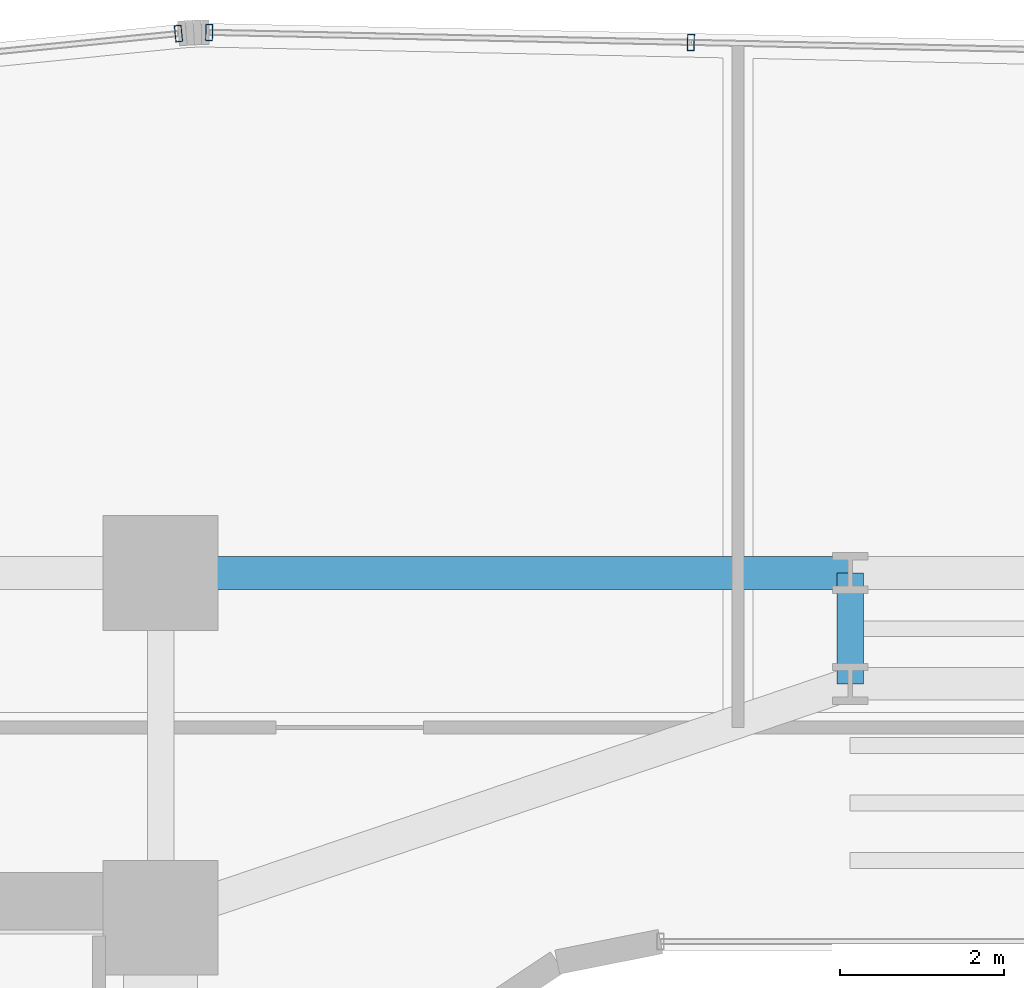
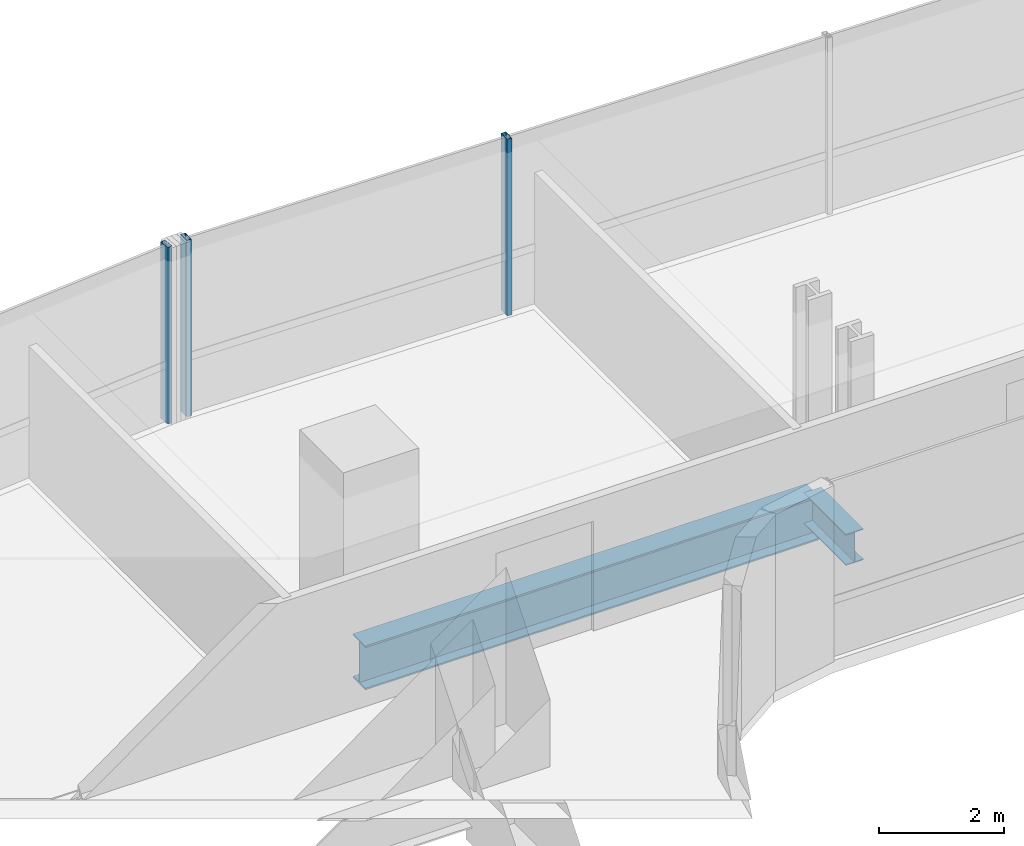
# One storey, part 21 of 40: 3 members, 2 beams, 2 elements without a shape of their own.
"""IFC4 building model written with IfcOpenShell, lengths in metres."""

from ifc_helpers import new_model, si_unit, direction, frame, origin, origin_2d, place, context, subcontext, project, spatial, hollow_rectangle, i_section, extrude, source, transform, mapped, material, material_profile, profile_set, type_object, element, aggregate, save


model = new_model("IFC4")

# Units and contexts
model_context = context("Model", 3, precision=1e-05, world=origin(), true_north=direction((0.0, 1.0)))
body_context = subcontext(model_context, "Body", "Model", "MODEL_VIEW")
ifc_project = project(units=[si_unit("LENGTHUNIT", "METRE"), si_unit("AREAUNIT", "SQUARE_METRE"), si_unit("VOLUMEUNIT", "CUBIC_METRE"), si_unit("PLANEANGLEUNIT", "RADIAN"), si_unit("MASSUNIT", "GRAM", prefix="KILO")], contexts=[model_context])

# Site, building, storey
site_placement = place(None, origin())
site = spatial("IfcSite", under=ifc_project, at=site_placement, CompositionType="ELEMENT")
building_placement = place(site_placement, origin())
building = spatial("IfcBuilding", under=site, at=building_placement, Name="Valdorenza Pilgrim Sanctuary Tower", CompositionType="ELEMENT")
storey_placement = place(building_placement, frame((0.0, 0.0, 81.5)))
storey = spatial("IfcBuildingStorey", under=building, at=storey_placement, Name="L20", CompositionType="ELEMENT", Elevation=81.5)

# Beams
ifc_material_1 = material(Name="Steel ASTM A992 Grade 50", Category="steel")
ifc_material_profile_1 = material_profile(ifc_material_1, i_section(OverallWidth=0.39990234375, OverallDepth=0.862060546875, WebThickness=0.019775390625, FlangeThickness=0.032470703125, at=origin_2d()), Name="W33X221")
ifc_profile_set_1 = profile_set([ifc_material_profile_1], Name="Steel ASTM A992 Grade 50")
beam_type_1 = type_object("IfcBeamType", Name="STR-BM-GRD-W33", PredefinedType="BEAM", material=ifc_profile_set_1)
shared_shape_1 = source(origin(), body_context, "Body", "SweptSolid", [
    extrude(i_section(OverallWidth=0.39990234375, OverallDepth=0.862060546875, WebThickness=0.019775390625, FlangeThickness=0.032470703125, at=origin_2d()), origin(), (0.0, 0.0, 1.0), 8.39990234375),
])
beam_1_placement = place(storey_placement, frame((-12.39990234375, 14.800048828125, -0.6708984375), z_axis=(1.0, 0.0, 0.0), x_axis=(0.0, 1.0, 0.0)))
element("IfcBeam", 1, at=beam_1_placement, inside=storey, type_object=beam_type_1, Name="L20 Floor Girder KNK-G4", PredefinedType="BEAM", context=body_context, shape_type="MappedRepresentation", body=[
    mapped(shared_shape_1, transform((0.0, 0.0, 0.0), x_axis=(1.0, 0.0, 0.0), y_axis=(0.0, 1.0, 0.0), z_axis=(0.0, 0.0, 1.0), scale=1.0)),
])
ifc_material_profile_2 = material_profile(ifc_material_1, i_section(OverallWidth=0.323974609375, OverallDepth=0.611083984375, WebThickness=0.0126953125, FlangeThickness=0.01904296875, at=origin_2d()), Name="W24X104")
ifc_profile_set_2 = profile_set([ifc_material_profile_2], Name="Steel ASTM A992 Grade 50")
beam_type_2 = type_object("IfcBeamType", Name="STR-BM-GRD-W24B", PredefinedType="BEAM", material=ifc_profile_set_2)
shared_shape_2 = source(origin(), body_context, "Body", "SweptSolid", [
    extrude(i_section(OverallWidth=0.323974609375, OverallDepth=0.611083984375, WebThickness=0.0126953125, FlangeThickness=0.01904296875, at=origin_2d()), origin(), (0.0, 0.0, 1.0), 1.35009765625),
])
beam_2_placement = place(storey_placement, frame((-4.0, 13.449951171875, -0.54541015625), z_axis=(0.0, 1.0, 0.0), x_axis=(-1.0, 0.0, 0.0)))
element("IfcBeam", 2, at=beam_2_placement, inside=storey, type_object=beam_type_2, Name="L20 Floor Girder KNK-TIE-W", PredefinedType="BEAM", context=body_context, shape_type="MappedRepresentation", body=[
    mapped(shared_shape_2, transform((0.0, 0.0, 0.0), x_axis=(1.0, 0.0, 0.0), y_axis=(0.0, 1.0, 0.0), z_axis=(0.0, 0.0, 1.0), scale=1.0)),
])

# Curtain wall, member
ifc_material_2 = material(Name="Curtain-wall IGU glazing", Category="glass")
curtain_wall_type = type_object("IfcCurtainWallType", Name="CW-SYS-02", PredefinedType="NOTDEFINED", material=ifc_material_2)
curtain_wall_1_placement = place(storey_placement, origin())
curtain_wall_1 = element("IfcCurtainWall", 3, at=curtain_wall_1_placement, inside=storey, type_object=curtain_wall_type, Name="L20 Curtain Wall CW-L20-1-6", PredefinedType="NOTDEFINED")
ifc_material_3 = material(Name="Anodised aluminium AW-6060", Category="aluminium")
ifc_material_profile_3 = material_profile(ifc_material_3, hollow_rectangle(XDim=0.0849609375, YDim=0.199951171875, WallThickness=0.0048828125, at=origin_2d()), Name="ALU-M 200x85x5")
ifc_profile_set_3 = profile_set([ifc_material_profile_3], Name="Anodised aluminium AW-6060")
member_type = type_object("IfcMemberType", Name="CW-MUL-02", PredefinedType="MULLION", material=ifc_profile_set_3)
shared_shape_3 = source(origin(), body_context, "Body", "SweptSolid", [
    extrude(hollow_rectangle(XDim=0.0849609375, YDim=0.199951171875, WallThickness=0.0048828125, at=origin_2d()), origin(), (0.0, 0.0, 1.0), 3.4599609375),
])
member_1_placement = place(storey_placement, frame((-12.181884765625, 21.371337890625, 0.0), z_axis=(0.0, 0.0, 1.0), x_axis=(0.995038220239, 0.099493418189, 0.0)))
member_1 = element("IfcMember", 4, at=member_1_placement, type_object=member_type, Name="CW-L20-1-6 Mullion 4", PredefinedType="MULLION", context=body_context, shape_type="MappedRepresentation", body=[
    mapped(shared_shape_3, transform((0.0, 0.0, 0.0), x_axis=(1.0, 0.0, 0.0), y_axis=(0.0, 1.0, 0.0), z_axis=(0.0, 0.0, 1.0), scale=1.0)),
])
aggregate(curtain_wall_1, [member_1])

# Curtain wall, members
curtain_wall_2_placement = place(storey_placement, origin())
curtain_wall_2 = element("IfcCurtainWall", 5, at=curtain_wall_2_placement, inside=storey, type_object=curtain_wall_type, Name="L20 Curtain Wall CW-L20-1-11", PredefinedType="NOTDEFINED")
member_2_placement = place(storey_placement, frame((-11.808349609375, 21.385986328125, 0.0), z_axis=(0.0, 0.0, 1.0), x_axis=(0.999783234613, -0.020820273474, 0.0)))
member_2 = element("IfcMember", 6, at=member_2_placement, type_object=member_type, Name="CW-L20-1-11 Mullion 1", PredefinedType="MULLION", context=body_context, shape_type="MappedRepresentation", body=[
    mapped(shared_shape_3, transform((0.0, 0.0, 0.0), x_axis=(1.0, 0.0, 0.0), y_axis=(0.0, 1.0, 0.0), z_axis=(0.0, 0.0, 1.0), scale=1.0)),
])
member_3_placement = place(storey_placement, frame((-5.93994140625, 21.263671875, 0.0), z_axis=(0.0, 0.0, 1.0), x_axis=(0.999783234613, -0.020820273474, 0.0)))
member_3 = element("IfcMember", 7, at=member_3_placement, type_object=member_type, Name="CW-L20-1-11 Mullion 2", PredefinedType="MULLION", context=body_context, shape_type="MappedRepresentation", body=[
    mapped(shared_shape_3, transform((0.0, 0.0, 0.0), x_axis=(1.0, 0.0, 0.0), y_axis=(0.0, 1.0, 0.0), z_axis=(0.0, 0.0, 1.0), scale=1.0)),
])
aggregate(curtain_wall_2, [member_2, member_3])

save(model, "model.ifc")
